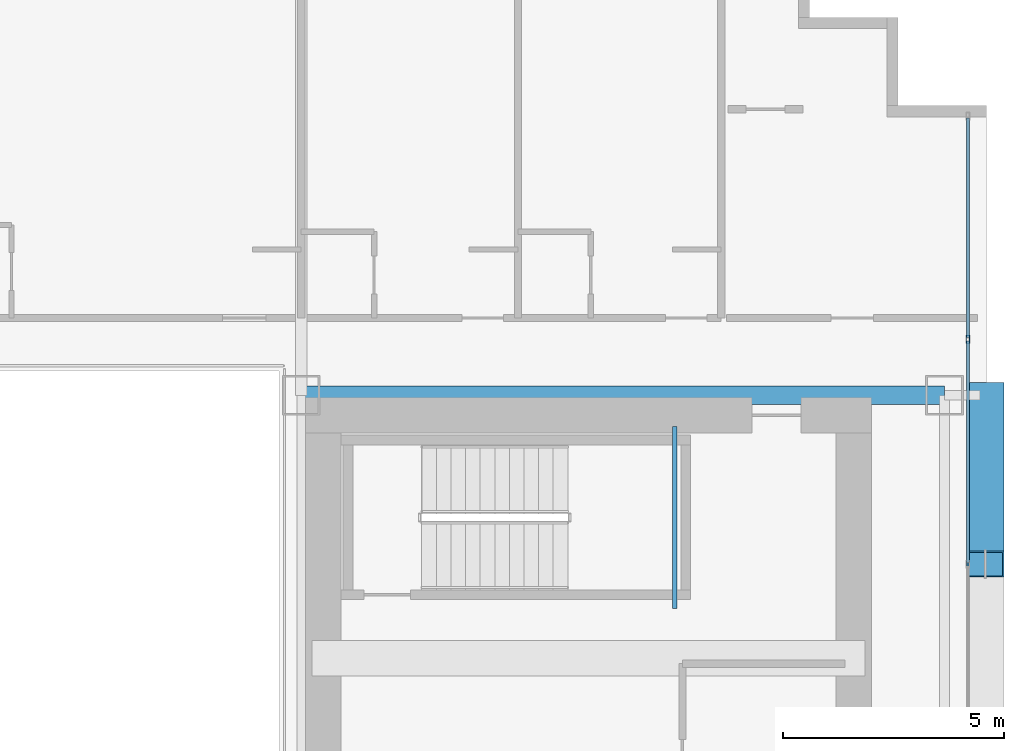
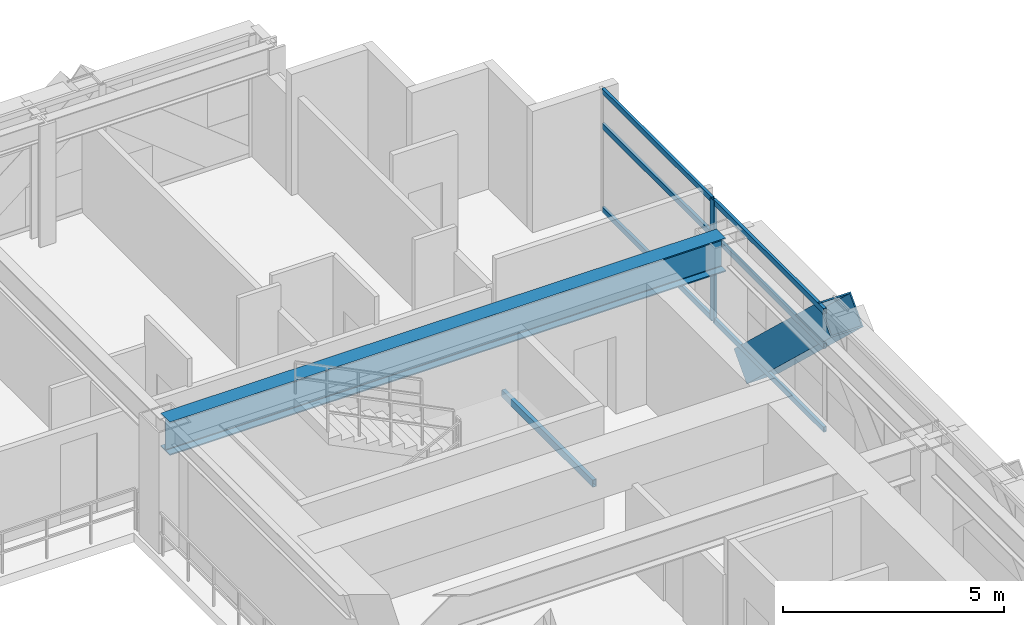
# One storey, part 20 of 35: 8 members, 2 beams, 1 element without a shape of its own.
"""IFC4 building model written with IfcOpenShell, lengths in metres."""

from ifc_helpers import new_model, si_unit, direction, frame, origin, origin_2d, place, context, subcontext, project, spatial, hollow_rectangle, i_section, extrude, source, transform, mapped, material, layer, layer_set, material_profile, profile_set, type_object, element, aggregate, save


model = new_model("IFC4")

# Units and contexts
model_context = context("Model", 3, precision=1e-05, world=origin(), true_north=direction((0.0, 1.0)))
body_context = subcontext(model_context, "Body", "Model", "MODEL_VIEW")
ifc_project = project(units=[si_unit("LENGTHUNIT", "METRE"), si_unit("AREAUNIT", "SQUARE_METRE"), si_unit("VOLUMEUNIT", "CUBIC_METRE"), si_unit("PLANEANGLEUNIT", "RADIAN"), si_unit("MASSUNIT", "GRAM", prefix="KILO")], contexts=[model_context])

# Site, building, storey
site_placement = place(None, origin())
site = spatial("IfcSite", under=ifc_project, at=site_placement, CompositionType="ELEMENT")
building_placement = place(site_placement, origin())
building = spatial("IfcBuilding", under=site, at=building_placement, Name="Ocotamira Hotel", CompositionType="ELEMENT")
storey_placement = place(building_placement, frame((0.0, 0.0, 78.0)))
storey = spatial("IfcBuildingStorey", under=building, at=storey_placement, Name="L19", CompositionType="ELEMENT", Elevation=78.0)

# Beams
ifc_material_1 = material(Name="Steel ASTM A500 Grade C", Category="steel")
ifc_material_profile_1 = material_profile(ifc_material_1, hollow_rectangle(XDim=0.10009765625, YDim=0.199951171875, WallThickness=0.008056640625, at=origin_2d()), Name="HSS200X100X8")
ifc_profile_set_1 = profile_set([ifc_material_profile_1], Name="Steel ASTM A500 Grade C")
beam_type_1 = type_object("IfcBeamType", Name="BM-STLDG-HSS200", PredefinedType="BEAM", material=ifc_profile_set_1)
shared_shape_1 = source(origin(), body_context, "Body", "SweptSolid", [
    extrude(hollow_rectangle(XDim=0.10009765625, YDim=0.199951171875, WallThickness=0.008056640625, at=origin_2d()), origin(), (0.0, 0.0, 1.0), 4.1201171875),
])
beam_1_placement = place(storey_placement, frame((48.949951171875, 32.6298828125, 1.5), z_axis=(0.0, 1.0, 0.0), x_axis=(-1.0, 0.0, 0.0)))
element("IfcBeam", 1, at=beam_1_placement, inside=storey, type_object=beam_type_1, Name="L19 Stair ST-4 Landing Bearer 1", PredefinedType="BEAM", context=body_context, shape_type="MappedRepresentation", body=[
    mapped(shared_shape_1, transform((0.0, 0.0, 0.0), scale=1.0)),
])
ifc_material_2 = material(Name="Steel ASTM A992 Grade 50", Category="steel")
ifc_material_profile_2 = material_profile(ifc_material_2, i_section(OverallWidth=0.41796875, OverallDepth=0.927001953125, WebThickness=0.019287109375, FlangeThickness=0.031982421875, FilletRadius=0.02392578125, at=origin_2d()), Name="W36X231")
ifc_profile_set_2 = profile_set([ifc_material_profile_2], Name="Steel ASTM A992 Grade 50")
beam_type_2 = type_object("IfcBeamType", Name="BM-GIRD-W36X231", PredefinedType="BEAM", material=ifc_profile_set_2)
shared_shape_2 = source(origin(), body_context, "Body", "SweptSolid", [
    extrude(i_section(OverallWidth=0.41796875, OverallDepth=0.927001953125, WebThickness=0.019287109375, FlangeThickness=0.031982421875, FilletRadius=0.02392578125, at=origin_2d()), origin(), (0.0, 0.0, 1.0), 14.550048828125),
])
beam_2_placement = place(storey_placement, frame((40.5, 37.449951171875, 2.886474609375), z_axis=(1.0, 0.0, 0.0), x_axis=(0.0, 1.0, 0.0)))
element("IfcBeam", 2, at=beam_2_placement, inside=storey, type_object=beam_type_2, Name="L19 Girder Y37.45 X40.5-55.05", PredefinedType="BEAM", context=body_context, shape_type="MappedRepresentation", body=[
    mapped(shared_shape_2, transform((0.0, 0.0, 0.0), scale=1.0)),
])

# Member
ifc_material_3 = material(Name="Pale-metal coated steel ASTM A913 Grade 65", Category="steel")
ifc_material_profile_3 = material_profile(ifc_material_3, hollow_rectangle(XDim=0.85009765625, YDim=0.85009765625, WallThickness=0.035888671875, at=origin_2d()), Name="BOX850X850X36")
ifc_profile_set_3 = profile_set([ifc_material_profile_3], Name="Pale-metal coated steel ASTM A913 Grade 65")
member_type_1 = type_object("IfcMemberType", Name="MEM-EXO-BOX850", PredefinedType="BRACE", material=ifc_profile_set_3)
shared_shape_3 = source(origin(), body_context, "Body", "SweptSolid", [
    extrude(hollow_rectangle(XDim=0.85009765625, YDim=0.85009765625, WallThickness=0.035888671875, at=origin_2d()), origin(), (0.0, 0.0, 1.0), 5.24658203125),
])
member_1_placement = place(storey_placement, frame((55.969970703125, 37.449951171875, -0.5), z_axis=(0.0, -0.727442733726, 0.686168397078), x_axis=(1.0, 0.0, 0.0)))
element("IfcMember", 3, at=member_1_placement, inside=storey, type_object=member_type_1, Name="L19 Exoskeleton Diagrid E2.2", PredefinedType="BRACE", context=body_context, shape_type="MappedRepresentation", body=[
    mapped(shared_shape_3, transform((0.0, 0.0, 0.0), scale=1.0)),
])

# Curtain wall, members
ifc_material_4 = material(Name="Anodised pale-metal aluminium and solar glass", Category="aluminium")
ifc_layer = layer(ifc_material_4, 0.179931640625)
ifc_layer_set = layer_set([ifc_layer], Name="Anodised pale-metal aluminium and solar glass")
curtain_wall_type = type_object("IfcCurtainWallType", Name="CW-SYS2-Z1", PredefinedType="NOTDEFINED", material=ifc_layer_set)
curtain_wall_placement = place(storey_placement, origin())
curtain_wall = element("IfcCurtainWall", 4, at=curtain_wall_placement, inside=storey, type_object=curtain_wall_type, Name="L19 Curtain Wall CW-2 CW-L19-E", PredefinedType="NOTDEFINED")
ifc_material_5 = material(Name="Anodised pale-metal aluminium 6063-T6", Category="aluminium")
ifc_material_profile_4 = material_profile(ifc_material_5, hollow_rectangle(XDim=0.074951171875, YDim=0.14990234375, WallThickness=0.006103515625, at=origin_2d()), Name="HSS150X75X6")
ifc_profile_set_4 = profile_set([ifc_material_profile_4], Name="Anodised pale-metal aluminium 6063-T6")
member_type_2 = type_object("IfcMemberType", Name="CWT-150X75", PredefinedType="USERDEFINED", material=ifc_profile_set_4)
shared_shape_4 = source(origin(), body_context, "Body", "SweptSolid", [
    extrude(hollow_rectangle(XDim=0.074951171875, YDim=0.14990234375, WallThickness=0.006103515625, at=origin_2d()), origin(), (0.0, 0.0, 1.0), 4.965576171875),
])
member_2_placement = place(storey_placement, frame((55.580078125, 38.75439453125, 0.03759765625), z_axis=(0.0, 1.0, 0.0), x_axis=(-1.0, 0.0, 0.0)))
member_2 = element("IfcMember", 5, at=member_2_placement, type_object=member_type_2, Name="CW-2 transom 7.1", ObjectType="TRANSOM", PredefinedType="USERDEFINED", context=body_context, shape_type="MappedRepresentation", body=[
    mapped(shared_shape_4, transform((0.0, 0.0, 0.0), scale=1.0)),
])
member_3_placement = place(storey_placement, frame((55.580078125, 38.75439453125, 2.35009765625), z_axis=(0.0, 1.0, 0.0), x_axis=(-1.0, 0.0, 0.0)))
member_3 = element("IfcMember", 6, at=member_3_placement, type_object=member_type_2, Name="CW-2 transom 7.2", ObjectType="TRANSOM", PredefinedType="USERDEFINED", context=body_context, shape_type="MappedRepresentation", body=[
    mapped(shared_shape_4, transform((0.0, 0.0, 0.0), scale=1.0)),
])
member_4_placement = place(storey_placement, frame((55.580078125, 38.75439453125, 3.3125), z_axis=(0.0, 1.0, 0.0), x_axis=(-1.0, 0.0, 0.0)))
member_4 = element("IfcMember", 7, at=member_4_placement, type_object=member_type_2, Name="CW-2 transom 7.3", ObjectType="TRANSOM", PredefinedType="USERDEFINED", context=body_context, shape_type="MappedRepresentation", body=[
    mapped(shared_shape_4, transform((0.0, 0.0, 0.0), scale=1.0)),
])
shared_shape_5 = source(origin(), body_context, "Body", "SweptSolid", [
    extrude(hollow_rectangle(XDim=0.074951171875, YDim=0.14990234375, WallThickness=0.006103515625, at=origin_2d()), origin(), (0.0, 0.0, 1.0), 5.005859375),
])
member_5_placement = place(storey_placement, frame((55.580078125, 33.66845703125, 0.03759765625), z_axis=(0.0, 1.0, 0.0), x_axis=(-1.0, 0.0, 0.0)))
member_5 = element("IfcMember", 8, at=member_5_placement, type_object=member_type_2, Name="CW-2 transom 6.1", ObjectType="TRANSOM", PredefinedType="USERDEFINED", context=body_context, shape_type="MappedRepresentation", body=[
    mapped(shared_shape_5, transform((0.0, 0.0, 0.0), scale=1.0)),
])
member_6_placement = place(storey_placement, frame((55.580078125, 33.66845703125, 2.35009765625), z_axis=(0.0, 1.0, 0.0), x_axis=(-1.0, 0.0, 0.0)))
member_6 = element("IfcMember", 9, at=member_6_placement, type_object=member_type_2, Name="CW-2 transom 6.2", ObjectType="TRANSOM", PredefinedType="USERDEFINED", context=body_context, shape_type="MappedRepresentation", body=[
    mapped(shared_shape_5, transform((0.0, 0.0, 0.0), scale=1.0)),
])
member_7_placement = place(storey_placement, frame((55.580078125, 33.66845703125, 3.3125), z_axis=(0.0, 1.0, 0.0), x_axis=(-1.0, 0.0, 0.0)))
member_7 = element("IfcMember", 10, at=member_7_placement, type_object=member_type_2, Name="CW-2 transom 6.3", ObjectType="TRANSOM", PredefinedType="USERDEFINED", context=body_context, shape_type="MappedRepresentation", body=[
    mapped(shared_shape_5, transform((0.0, 0.0, 0.0), scale=1.0)),
])
ifc_material_profile_5 = material_profile(ifc_material_5, hollow_rectangle(XDim=0.080078125, YDim=0.179931640625, WallThickness=0.006103515625, at=origin_2d()), Name="HSS180X80X6")
ifc_profile_set_5 = profile_set([ifc_material_profile_5], Name="Anodised pale-metal aluminium 6063-T6")
member_type_3 = type_object("IfcMemberType", Name="CWM-180X75", PredefinedType="MULLION", material=ifc_profile_set_5)
shared_shape_6 = source(origin(), body_context, "Body", "SweptSolid", [
    extrude(hollow_rectangle(XDim=0.080078125, YDim=0.179931640625, WallThickness=0.006103515625, at=origin_2d()), origin(), (0.0, 0.0, 1.0), 3.35009765625),
])
member_8_placement = place(storey_placement, frame((55.580078125, 38.71435546875, 0.0), z_axis=(0.0, 0.0, 1.0), x_axis=(-1.0, 0.0, 0.0)))
member_8 = element("IfcMember", 11, at=member_8_placement, type_object=member_type_3, Name="CW-2 mullion 7", PredefinedType="MULLION", context=body_context, shape_type="MappedRepresentation", body=[
    mapped(shared_shape_6, transform((0.0, 0.0, 0.0), scale=1.0)),
])
aggregate(curtain_wall, [member_8, member_5, member_6, member_7, member_2, member_3, member_4])

save(model, "model.ifc")
